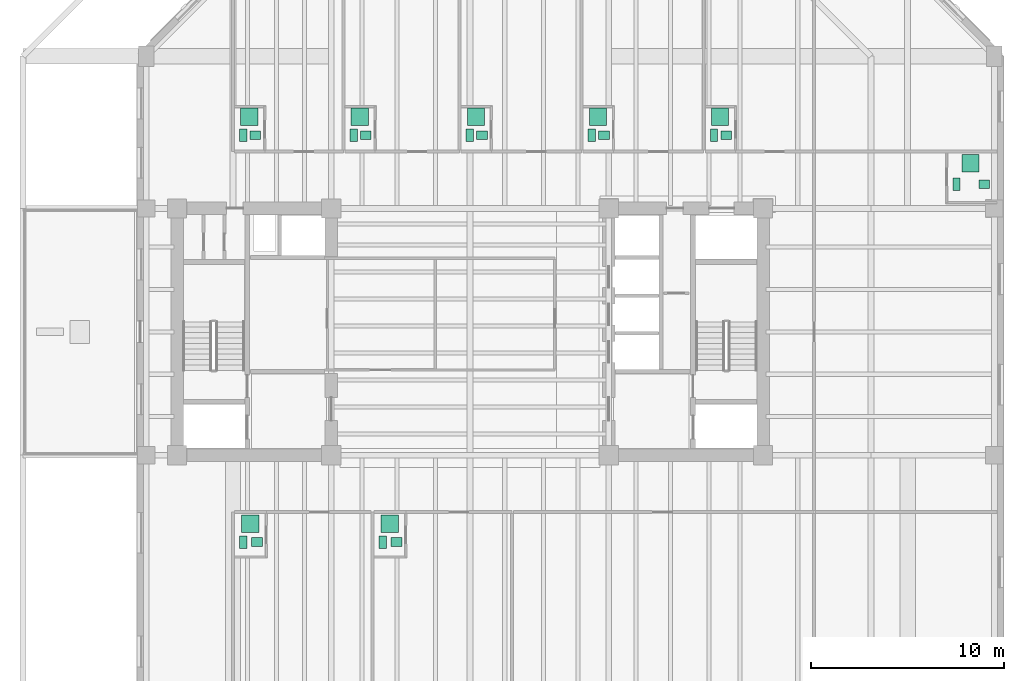
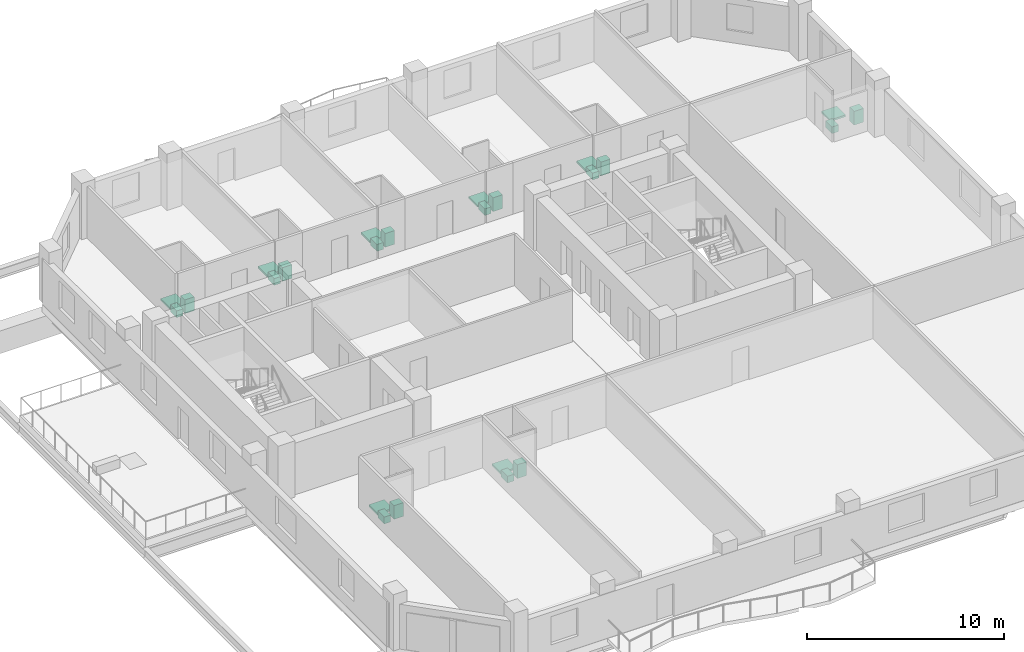
# One storey, part 11 of 11: 24 sanitary terminals.
"""IFC4 building model written with IfcOpenShell, lengths in metres."""

from ifc_helpers import new_model, si_unit, direction, frame, origin, origin_2d, place, context, subcontext, project, spatial, rectangle, extrude, material, type_object, element, save


model = new_model("IFC4")

# Units and contexts
model_context = context("Model", 3, precision=1e-05, world=origin(), true_north=direction((0.0, 1.0)))
body_context = subcontext(model_context, "Body", "Model", "MODEL_VIEW")
ifc_project = project(units=[si_unit("LENGTHUNIT", "METRE"), si_unit("AREAUNIT", "SQUARE_METRE"), si_unit("VOLUMEUNIT", "CUBIC_METRE"), si_unit("PLANEANGLEUNIT", "RADIAN"), si_unit("MASSUNIT", "GRAM", prefix="KILO")], contexts=[model_context])

# Site, building, storey
site_placement = place(None, origin())
site = spatial("IfcSite", under=ifc_project, at=site_placement, CompositionType="ELEMENT")
building_placement = place(site_placement, origin())
building = spatial("IfcBuilding", under=site, at=building_placement, Name="Kranthara Brick Stack", CompositionType="ELEMENT")
storey_placement = place(building_placement, frame((0.0, 0.0, 141.300048828125)))
storey = spatial("IfcBuildingStorey", under=building, at=storey_placement, Name="L35", CompositionType="ELEMENT", Elevation=141.300048828125)

# Sanitary terminals
ifc_material_1 = material(Name="Vitreous china sanitary porcelain", Category="other")
sanitary_terminal_type_1 = type_object("IfcSanitaryTerminalType", Name="SAN-BASIN", PredefinedType="WASHHANDBASIN", material=ifc_material_1)
for number, where, z_axis, x_axis, name in (
    (1, (16.947021484375, 16.294921875, 0.0), (0.0, 0.0, 1.0), (1.0, 0.0, 0.0), "L35 Washbasin 148"),
    (2, (24.18310546875, 16.294921875, 0.0), (0.0, 0.0, 1.0), (1.0, 0.0, 0.0), "L35 Washbasin 149"),
    (3, (16.860107421875, 37.405029296875, 0.0), (0.0, 0.0, 1.0), (1.0, 0.0, 0.0), "L35 Washbasin 150"),
    (4, (22.587890625, 37.405029296875, 0.0), (0.0, 0.0, 1.0), (1.0, 0.0, 0.0), "L35 Washbasin 151"),
    (5, (28.618896484375, 37.405029296875, 0.0), (0.0, 0.0, 1.0), (1.0, 0.0, 0.0), "L35 Washbasin 152"),
    (6, (34.949951171875, 37.405029296875, 0.0), (0.0, 0.0, 1.0), (1.0, 0.0, 0.0), "L35 Washbasin 153"),
    (7, (41.281005859375, 37.405029296875, 0.0), (0.0, 0.0, 1.0), (1.0, 0.0, 0.0), "L35 Washbasin 154"),
    (8, (54.679931640625, 34.864990234375, 0.0), (0.0, 0.0, 1.0), (1.0, 0.0, 0.0), "L35 Washbasin 155"),
):
    element("IfcSanitaryTerminal", number, at=place(storey_placement, frame(where, z_axis=z_axis, x_axis=x_axis)), inside=storey, type_object=sanitary_terminal_type_1, Name=name, PredefinedType="WASHHANDBASIN", context=body_context, shape_type="SweptSolid", body=[
        extrude(rectangle(XDim=0.550048828125, YDim=0.449951171875, at=origin_2d()), origin(), (0.0, 0.0, 1.0), 0.85009765625),
    ])
ifc_material_2 = material(Name="Acrylic and porcelain shower tray", Category="other")
sanitary_terminal_type_2 = type_object("IfcSanitaryTerminalType", Name="SAN-SHOWER", PredefinedType="SHOWER", material=ifc_material_2)
for number, where, z_axis, x_axis, name in (
    (9, (16.587890625, 17.25, 0.0), (0.0, 0.0, 1.0), (1.0, 0.0, 0.0), "L35 Shower Tray 148"),
    (10, (23.823974609375, 17.25, 0.0), (0.0, 0.0, 1.0), (1.0, 0.0, 0.0), "L35 Shower Tray 149"),
    (11, (16.544921875, 38.360107421875, 0.0), (0.0, 0.0, 1.0), (1.0, 0.0, 0.0), "L35 Shower Tray 150"),
    (12, (22.27294921875, 38.360107421875, 0.0), (0.0, 0.0, 1.0), (1.0, 0.0, 0.0), "L35 Shower Tray 151"),
    (13, (28.303955078125, 38.360107421875, 0.0), (0.0, 0.0, 1.0), (1.0, 0.0, 0.0), "L35 Shower Tray 152"),
    (14, (34.635009765625, 38.360107421875, 0.0), (0.0, 0.0, 1.0), (1.0, 0.0, 0.0), "L35 Shower Tray 153"),
    (15, (40.966064453125, 38.360107421875, 0.0), (0.0, 0.0, 1.0), (1.0, 0.0, 0.0), "L35 Shower Tray 154"),
    (16, (53.9599609375, 35.949951171875, 0.0), (0.0, 0.0, 1.0), (1.0, 0.0, 0.0), "L35 Shower Tray 155"),
):
    element("IfcSanitaryTerminal", number, at=place(storey_placement, frame(where, z_axis=z_axis, x_axis=x_axis)), inside=storey, type_object=sanitary_terminal_type_2, Name=name, PredefinedType="SHOWER", context=body_context, shape_type="SweptSolid", body=[
        extrude(rectangle(XDim=0.89990234375, YDim=0.89990234375, at=origin_2d()), origin(), (0.0, 0.0, 1.0), 0.1201171875),
    ])
ifc_material_3 = material(Name="Vitreous china sanitary porcelain", Category="other")
sanitary_terminal_type_3 = type_object("IfcSanitaryTerminalType", Name="SAN-WC-PAN", PredefinedType="TOILETPAN", material=ifc_material_3)
for number, where, z_axis, x_axis, name in (
    (17, (16.22998046875, 16.294921875, 0.0), (0.0, 0.0, 1.0), (1.0, 0.0, 0.0), "L35 WC Pan 148"),
    (18, (23.466064453125, 16.294921875, 0.0), (0.0, 0.0, 1.0), (1.0, 0.0, 0.0), "L35 WC Pan 149"),
    (19, (16.22998046875, 37.405029296875, 0.0), (0.0, 0.0, 1.0), (1.0, 0.0, 0.0), "L35 WC Pan 150"),
    (20, (21.9580078125, 37.405029296875, 0.0), (0.0, 0.0, 1.0), (1.0, 0.0, 0.0), "L35 WC Pan 151"),
    (21, (27.989013671875, 37.405029296875, 0.0), (0.0, 0.0, 1.0), (1.0, 0.0, 0.0), "L35 WC Pan 152"),
    (22, (34.320068359375, 37.405029296875, 0.0), (0.0, 0.0, 1.0), (1.0, 0.0, 0.0), "L35 WC Pan 153"),
    (23, (40.65087890625, 37.405029296875, 0.0), (0.0, 0.0, 1.0), (1.0, 0.0, 0.0), "L35 WC Pan 154"),
    (24, (53.239990234375, 34.864990234375, 0.0), (0.0, 0.0, 1.0), (1.0, 0.0, 0.0), "L35 WC Pan 155"),
):
    element("IfcSanitaryTerminal", number, at=place(storey_placement, frame(where, z_axis=z_axis, x_axis=x_axis)), inside=storey, type_object=sanitary_terminal_type_3, Name=name, PredefinedType="TOILETPAN", context=body_context, shape_type="SweptSolid", body=[
        extrude(rectangle(XDim=0.3798828125, YDim=0.64990234375, at=origin_2d()), origin(), (0.0, 0.0, 1.0), 0.419921875),
    ])

save(model, "model.ifc")
